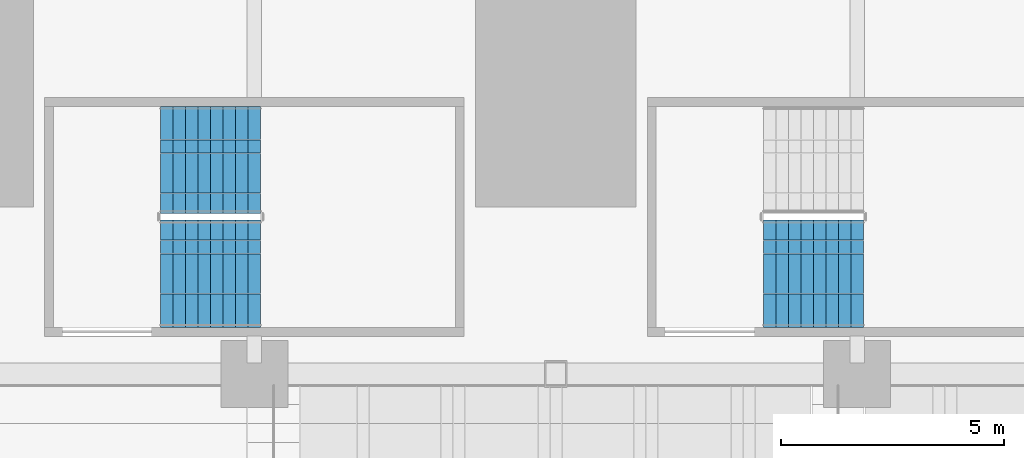
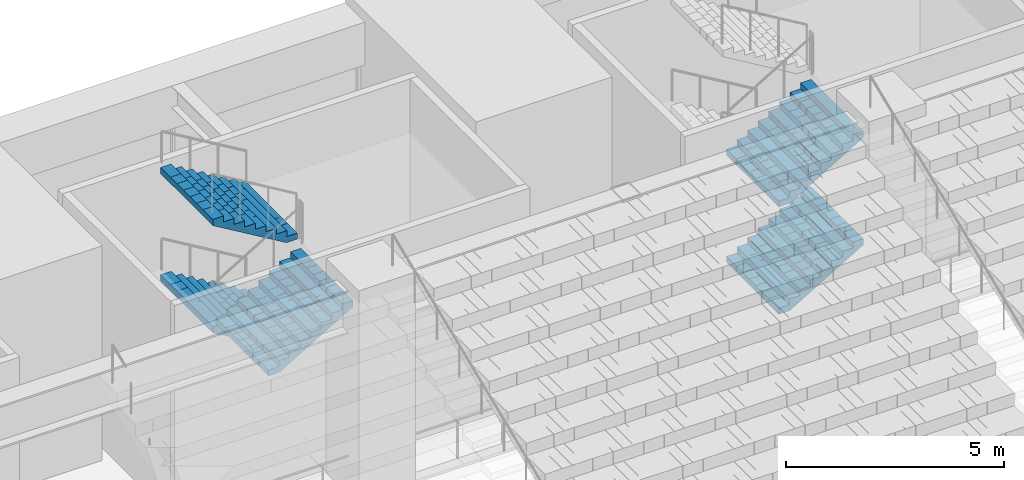
# One storey, part 46 of 61: 5 stair flights, 2 elements without a shape of their own.
"""IFC4 building model written with IfcOpenShell, lengths in metres."""

import ifcopenshell
import ifcopenshell.guid

model = None  # the IFC model being written
_history = None  # IfcOwnerHistory: only IFC2X3 demands one
_inside = {}  # id of a spatial element -> (the spatial element, [elements in it])
_under = {}  # id of a project, library or spatial element -> (it, [spatial elements below it])
_declared = {}  # id of a project -> (the project, [libraries it declares])
_typed = {}  # id of a type object -> (the type object, [elements of that type])
_made_of = {}  # id of a material, layer set ... -> (it, [elements and type objects made of it])


def new_model(schema):
    """Start an empty IFC model of exactly this schema.

    Asked for "IFC4X3", IfcOpenShell would pick the latest addendum, in which some entities
    have other attributes; the version numbers below select the first issue.
    IFC2X3 requires an IfcOwnerHistory on every rooted entity: one is made here for all.
    """
    global model, _history
    if schema == "IFC4X3":
        model = ifcopenshell.file(schema_version=(4, 3, 0, 0))
    else:
        model = ifcopenshell.file(schema=schema)
    _inside.clear()
    _under.clear()
    _declared.clear()
    _typed.clear()
    _made_of.clear()
    _history = None
    if model.schema == "IFC2X3":
        org = make("IfcOrganization", Name="unknown")
        user = make(
            "IfcPersonAndOrganization",
            ThePerson=make("IfcPerson", FamilyName="unknown"),
            TheOrganization=org,
        )
        app = make(
            "IfcApplication",
            ApplicationDeveloper=org,
            Version="unknown",
            ApplicationFullName="unknown",
            ApplicationIdentifier="unknown",
        )
        _history = make(
            "IfcOwnerHistory",
            OwningUser=user,
            OwningApplication=app,
            ChangeAction="ADDED",
            CreationDate=0,
        )
    return model


def make(cls, **values):
    """One entity of the class cls with the attributes given. An attribute that is None is left unset."""
    return model.create_entity(
        cls, **{name: value for name, value in values.items() if value is not None}
    )


def rooted(cls, **values):
    """An entity with a GlobalId (a new one), such as an element, a storey or a relation."""
    return make(cls, GlobalId=ifcopenshell.guid.new(), OwnerHistory=_history, **values)


def si_unit(unit_type, name, prefix=None):
    """IfcSIUnit, for example si_unit("LENGTHUNIT", "METRE", prefix="MILLI")."""
    return make("IfcSIUnit", UnitType=unit_type, Prefix=prefix, Name=name)


def assignment(units):
    """IfcUnitAssignment: the units of a project."""
    return None if units is None else make("IfcUnitAssignment", Units=units)


def point(xyz):
    """IfcCartesianPoint."""
    return None if xyz is None else make("IfcCartesianPoint", Coordinates=xyz)


def direction(xyz):
    """IfcDirection."""
    return None if xyz is None else make("IfcDirection", DirectionRatios=xyz)


def frame(location, z_axis=None, x_axis=None):
    """IfcAxis2Placement3D, a coordinate frame: its origin and axes. An axis left out is left unset."""
    return make(
        "IfcAxis2Placement3D",
        Location=point(location),
        Axis=direction(z_axis),
        RefDirection=direction(x_axis),
    )


def origin():
    """The frame at (0, 0, 0) with its axes left unset."""
    return frame((0.0, 0.0, 0.0))


def place(relative_to, where):
    """IfcLocalPlacement: puts the frame where relative to a parent placement (None: the world)."""
    return make(
        "IfcLocalPlacement", PlacementRelTo=relative_to, RelativePlacement=where
    )


def context(
    kind, dimensions, precision=None, world=None, true_north=None, identifier=None
):
    """IfcGeometricRepresentationContext, for example the 3D "Model" context."""
    return make(
        "IfcGeometricRepresentationContext",
        ContextIdentifier=identifier,
        ContextType=kind,
        CoordinateSpaceDimension=dimensions,
        Precision=precision,
        WorldCoordinateSystem=world,
        TrueNorth=true_north,
    )


def subcontext(parent, identifier, kind, view, scale=None):
    """IfcGeometricRepresentationSubContext, for example "Body" below "Model"."""
    return make(
        "IfcGeometricRepresentationSubContext",
        ContextIdentifier=identifier,
        ContextType=kind,
        ParentContext=parent,
        TargetScale=scale,
        TargetView=view,
    )


def project(units=None, contexts=None):
    """IfcProject with its units and contexts."""
    return rooted(
        "IfcProject",
        Name="project",
        RepresentationContexts=contexts,
        UnitsInContext=assignment(units),
    )


def spatial(cls, under=None, at=None, **own):
    """A site, building, storey or space (cls), placed at a placement, below another one or the project."""
    s = rooted(cls, ObjectPlacement=at, **own)
    if under is not None:
        _under.setdefault(under.id(), (under, []))[1].append(s)
    return s


def polyline(points):
    """IfcPolyline through the points."""
    return make("IfcPolyline", Points=[point(p) for p in points])


def outline(outer, holes=None, kind="AREA"):
    """IfcArbitraryClosedProfileDef: a profile drawn as a closed curve; with holes, ...WithVoids."""
    if holes is None:
        return make("IfcArbitraryClosedProfileDef", ProfileType=kind, OuterCurve=outer)
    return make(
        "IfcArbitraryProfileDefWithVoids",
        ProfileType=kind,
        OuterCurve=outer,
        InnerCurves=holes,
    )


def extrude(swept, where, along, depth):
    """IfcExtrudedAreaSolid: the profile swept, set in the frame where, extruded along a direction by depth."""
    return make(
        "IfcExtrudedAreaSolid",
        SweptArea=swept,
        Position=where,
        ExtrudedDirection=direction(along),
        Depth=depth,
    )


def shape(context_of_items, identifier, shape_type, items):
    """IfcShapeRepresentation: the items that make up one representation, for example the "Body"."""
    return make(
        "IfcShapeRepresentation",
        ContextOfItems=context_of_items,
        RepresentationIdentifier=identifier,
        RepresentationType=shape_type,
        Items=items,
    )


def material(Name=None, Category=None):
    """IfcMaterial."""
    return make("IfcMaterial", Name=Name, Category=Category)


def made_of(thing, what):
    """Note that an element or type object is made of a material, layer set ...; save() writes the relation."""
    if what is not None:
        _made_of.setdefault(what.id(), (what, []))[1].append(thing)
    return thing


def type_object(cls, material=None, **own):
    """A type object (cls), such as IfcWallType, which elements share."""
    return made_of(rooted(cls, **own), material)


def element(
    cls,
    number,
    at=None,
    inside=None,
    cuts=None,
    type_object=None,
    material=None,
    context=None,
    identifier="Body",
    shape_type=None,
    held_by="IfcProductDefinitionShape",
    body=None,
    shapes=None,
    **own,
):
    """One element of the class cls, such as IfcWall. Its Tag is "e" and its number.

    at: its placement. inside: the storey or other place that contains it. cuts: it is an
    opening in that element (IfcRelVoidsElement). A single representation is given by context,
    identifier, shape_type and body (its items); several are given by shapes. held_by: the class
    of the entity that holds the representations. save() writes the other relations.
    """
    e = rooted(cls, Tag="e%d" % number, ObjectPlacement=at, **own)
    if body is not None:
        shapes = [shape(context, identifier, shape_type, body)]
    if shapes is not None:
        e.Representation = make(held_by, Representations=shapes)
    if inside is not None:
        _inside.setdefault(inside.id(), (inside, []))[1].append(e)
    if cuts is not None:
        rooted(
            "IfcRelVoidsElement", RelatingBuildingElement=cuts, RelatedOpeningElement=e
        )
    if type_object is not None:
        _typed.setdefault(type_object.id(), (type_object, []))[1].append(e)
    return made_of(e, material)


def aggregate(whole, parts):
    """IfcRelAggregates: a whole, such as a stair, and the parts it consists of."""
    return rooted("IfcRelAggregates", RelatingObject=whole, RelatedObjects=parts)


def save(model, path):
    """Write the relations noted so far, then the file.

    IfcRelAggregates (storeys below a building ...), IfcRelContainedInSpatialStructure (elements
    in a storey), IfcRelDefinesByType, IfcRelAssociatesMaterial and IfcRelDeclares: one each for
    every whole, place, type object, material and project.
    """
    for whole, parts in _under.values():
        aggregate(whole, parts)
    for where, things in _inside.values():
        rooted(
            "IfcRelContainedInSpatialStructure",
            RelatedElements=things,
            RelatingStructure=where,
        )
    for kind, things in _typed.values():
        rooted("IfcRelDefinesByType", RelatedObjects=things, RelatingType=kind)
    for what, things in _made_of.values():
        rooted("IfcRelAssociatesMaterial", RelatedObjects=things, RelatingMaterial=what)
    for by, libraries in _declared.values():
        rooted("IfcRelDeclares", RelatingContext=by, RelatedDefinitions=libraries)
    model.write(path)


model = new_model("IFC4")

# Units and contexts
model_context = context("Model", 3, precision=1e-05, world=origin(), true_north=direction((0.0, 1.0)))
body_context = subcontext(model_context, "Body", "Model", "MODEL_VIEW")
ifc_project = project(units=[si_unit("LENGTHUNIT", "METRE"), si_unit("AREAUNIT", "SQUARE_METRE"), si_unit("VOLUMEUNIT", "CUBIC_METRE"), si_unit("PLANEANGLEUNIT", "RADIAN"), si_unit("MASSUNIT", "GRAM", prefix="KILO")], contexts=[model_context])

# Site, building, storey
site_placement = place(None, origin())
site = spatial("IfcSite", under=ifc_project, at=site_placement, CompositionType="ELEMENT")
building_placement = place(site_placement, origin())
building = spatial("IfcBuilding", under=site, at=building_placement, Name="Corbelhall Arena Tower", CompositionType="ELEMENT")
storey_placement = place(building_placement, frame((0.0, 0.0, 31.0)))
storey = spatial("IfcBuildingStorey", under=building, at=storey_placement, Name="L04", CompositionType="ELEMENT", Elevation=31.0)

# Stair, stair flights
ifc_material = material(Name="Reinforced concrete C40/50", Category="concrete")
stair_type = type_object("IfcStairType", Name="AR-EXIT-STAIR", PredefinedType="HALF_TURN_STAIR", material=ifc_material)
stair_1_placement = place(storey_placement, origin())
stair_1 = element("IfcStair", 1, at=stair_1_placement, inside=storey, type_object=stair_type, Name="L04 exit stair AS10", PredefinedType="HALF_TURN_STAIR")
stair_flight_type = type_object("IfcStairFlightType", Name="AR-EXIT-FLIGHT", PredefinedType="STRAIGHT", material=ifc_material)
stair_flight_1_placement = place(storey_placement, frame((-6.610107421875, 34.050048828125, 1.5), z_axis=(0.0, 0.0, 1.0), x_axis=(-1.0, 0.0, 0.0)))
stair_flight_1 = element("IfcStairFlight", 2, at=stair_flight_1_placement, type_object=stair_flight_type, Name="AS10 flight 2", NumberOfRisers=9, NumberOfTreads=8, PredefinedType="STRAIGHT", RiserHeight=0.166666667, TreadLength=0.28, context=body_context, shape_type="SweptSolid", body=[
    extrude(outline(polyline([(0.0, 0.0), (0.0, 0.166748046875), (0.280029296875, 0.166748046875), (0.280029296875, 0.333251953125), (0.56005859375, 0.333251953125), (0.56005859375, 0.5), (0.840087890625, 0.5), (0.840087890625, 0.666748046875), (1.1201171875, 0.666748046875), (1.1201171875, 0.833251953125), (1.39990234375, 0.833251953125), (1.39990234375, 1.0), (1.679931640625, 1.0), (1.679931640625, 1.166748046875), (1.9599609375, 1.166748046875), (1.9599609375, 1.333251953125), (2.239990234375, 1.333251953125), (2.239990234375, 1.5), (2.239990234375, 1.158935546875), (0.29296875, 0.0), (0.0, 0.0)])), frame((0.0, 1.199951171875, 0.0), z_axis=(0.0, -1.0, 0.0), x_axis=(1.0, 0.0, 0.0)), (0.0, 0.0, 1.0), 0.449951171875),
    extrude(outline(polyline([(0.0, 0.0), (0.0, 0.166748046875), (0.280029296875, 0.166748046875), (0.280029296875, 0.333251953125), (0.56005859375, 0.333251953125), (0.56005859375, 0.5), (0.840087890625, 0.5), (0.840087890625, 0.666748046875), (1.1201171875, 0.666748046875), (1.1201171875, 0.833251953125), (1.39990234375, 0.833251953125), (1.39990234375, 1.0), (1.679931640625, 1.0), (1.679931640625, 1.166748046875), (1.9599609375, 1.166748046875), (1.9599609375, 1.333251953125), (2.239990234375, 1.333251953125), (2.239990234375, 1.5), (2.239990234375, 1.158935546875), (0.29296875, 0.0), (0.0, 0.0)])), frame((0.0, 0.745849609375, 0.0), z_axis=(0.0, -1.0, 0.0), x_axis=(1.0, 0.0, 0.0)), (0.0, 0.0, 1.0), 0.295166015625),
    extrude(outline(polyline([(0.0, 0.0), (0.0, 0.166748046875), (0.280029296875, 0.166748046875), (0.280029296875, 0.333251953125), (0.56005859375, 0.333251953125), (0.56005859375, 0.5), (0.840087890625, 0.5), (0.840087890625, 0.666748046875), (1.1201171875, 0.666748046875), (1.1201171875, 0.833251953125), (1.39990234375, 0.833251953125), (1.39990234375, 1.0), (1.679931640625, 1.0), (1.679931640625, 1.166748046875), (1.9599609375, 1.166748046875), (1.9599609375, 1.333251953125), (2.239990234375, 1.333251953125), (2.239990234375, 1.5), (2.239990234375, 1.158935546875), (0.29296875, 0.0), (0.0, 0.0)])), frame((0.0, 0.44677734375, 0.0), z_axis=(0.0, -1.0, 0.0), x_axis=(1.0, 0.0, 0.0)), (0.0, 0.0, 1.0), 0.295166015625),
    extrude(outline(polyline([(0.0, 0.0), (0.0, 0.166748046875), (0.280029296875, 0.166748046875), (0.280029296875, 0.333251953125), (0.56005859375, 0.333251953125), (0.56005859375, 0.5), (0.840087890625, 0.5), (0.840087890625, 0.666748046875), (1.1201171875, 0.666748046875), (1.1201171875, 0.833251953125), (1.39990234375, 0.833251953125), (1.39990234375, 1.0), (1.679931640625, 1.0), (1.679931640625, 1.166748046875), (1.9599609375, 1.166748046875), (1.9599609375, 1.333251953125), (2.239990234375, 1.333251953125), (2.239990234375, 1.5), (2.239990234375, 1.158935546875), (0.29296875, 0.0), (0.0, 0.0)])), frame((0.0, 0.147705078125, 0.0), z_axis=(0.0, -1.0, 0.0), x_axis=(1.0, 0.0, 0.0)), (0.0, 0.0, 1.0), 0.295166015625),
    extrude(outline(polyline([(0.0, 0.0), (0.0, 0.166748046875), (0.280029296875, 0.166748046875), (0.280029296875, 0.333251953125), (0.56005859375, 0.333251953125), (0.56005859375, 0.5), (0.840087890625, 0.5), (0.840087890625, 0.666748046875), (1.1201171875, 0.666748046875), (1.1201171875, 0.833251953125), (1.39990234375, 0.833251953125), (1.39990234375, 1.0), (1.679931640625, 1.0), (1.679931640625, 1.166748046875), (1.9599609375, 1.166748046875), (1.9599609375, 1.333251953125), (2.239990234375, 1.333251953125), (2.239990234375, 1.5), (2.239990234375, 1.158935546875), (0.29296875, 0.0), (0.0, 0.0)])), frame((0.0, -0.151611328125, 0.0), z_axis=(0.0, -1.0, 0.0), x_axis=(1.0, 0.0, 0.0)), (0.0, 0.0, 1.0), 0.295166015625),
    extrude(outline(polyline([(0.0, 0.0), (0.0, 0.166748046875), (0.280029296875, 0.166748046875), (0.280029296875, 0.333251953125), (0.56005859375, 0.333251953125), (0.56005859375, 0.5), (0.840087890625, 0.5), (0.840087890625, 0.666748046875), (1.1201171875, 0.666748046875), (1.1201171875, 0.833251953125), (1.39990234375, 0.833251953125), (1.39990234375, 1.0), (1.679931640625, 1.0), (1.679931640625, 1.166748046875), (1.9599609375, 1.166748046875), (1.9599609375, 1.333251953125), (2.239990234375, 1.333251953125), (2.239990234375, 1.5), (2.239990234375, 1.158935546875), (0.29296875, 0.0), (0.0, 0.0)])), frame((0.0, -0.45068359375, 0.0), z_axis=(0.0, -1.0, 0.0), x_axis=(1.0, 0.0, 0.0)), (0.0, 0.0, 1.0), 0.295166015625),
    extrude(outline(polyline([(0.0, 0.0), (0.0, 0.166748046875), (0.280029296875, 0.166748046875), (0.280029296875, 0.333251953125), (0.56005859375, 0.333251953125), (0.56005859375, 0.5), (0.840087890625, 0.5), (0.840087890625, 0.666748046875), (1.1201171875, 0.666748046875), (1.1201171875, 0.833251953125), (1.39990234375, 0.833251953125), (1.39990234375, 1.0), (1.679931640625, 1.0), (1.679931640625, 1.166748046875), (1.9599609375, 1.166748046875), (1.9599609375, 1.333251953125), (2.239990234375, 1.333251953125), (2.239990234375, 1.5), (2.239990234375, 1.158935546875), (0.29296875, 0.0), (0.0, 0.0)])), frame((0.0, -0.75, 0.0), z_axis=(0.0, -1.0, 0.0), x_axis=(1.0, 0.0, 0.0)), (0.0, 0.0, 1.0), 0.449951171875),
])
stair_flight_2_placement = place(storey_placement, frame((-8.85009765625, 31.5, 3.0), z_axis=(0.0, 0.0, 1.0), x_axis=(1.0, 0.0, 0.0)))
stair_flight_2 = element("IfcStairFlight", 3, at=stair_flight_2_placement, type_object=stair_flight_type, Name="AS10 flight 3", NumberOfRisers=9, NumberOfTreads=8, PredefinedType="STRAIGHT", RiserHeight=0.166666667, TreadLength=0.28, context=body_context, shape_type="SweptSolid", body=[
    extrude(outline(polyline([(0.0, 0.0), (0.0, 0.166748046875), (0.280029296875, 0.166748046875), (0.280029296875, 0.333251953125), (0.56005859375, 0.333251953125), (0.56005859375, 0.5), (0.840087890625, 0.5), (0.840087890625, 0.666748046875), (1.1201171875, 0.666748046875), (1.1201171875, 0.833251953125), (1.39990234375, 0.833251953125), (1.39990234375, 1.0), (1.679931640625, 1.0), (1.679931640625, 1.166748046875), (1.9599609375, 1.166748046875), (1.9599609375, 1.333251953125), (2.239990234375, 1.333251953125), (2.239990234375, 1.5), (2.239990234375, 1.158935546875), (0.29296875, 0.0), (0.0, 0.0)])), frame((0.0, 1.199951171875, 0.0), z_axis=(0.0, -1.0, 0.0), x_axis=(1.0, 0.0, 0.0)), (0.0, 0.0, 1.0), 0.449951171875),
    extrude(outline(polyline([(0.0, 0.0), (0.0, 0.166748046875), (0.280029296875, 0.166748046875), (0.280029296875, 0.333251953125), (0.56005859375, 0.333251953125), (0.56005859375, 0.5), (0.840087890625, 0.5), (0.840087890625, 0.666748046875), (1.1201171875, 0.666748046875), (1.1201171875, 0.833251953125), (1.39990234375, 0.833251953125), (1.39990234375, 1.0), (1.679931640625, 1.0), (1.679931640625, 1.166748046875), (1.9599609375, 1.166748046875), (1.9599609375, 1.333251953125), (2.239990234375, 1.333251953125), (2.239990234375, 1.5), (2.239990234375, 1.158935546875), (0.29296875, 0.0), (0.0, 0.0)])), frame((0.0, 0.745849609375, 0.0), z_axis=(0.0, -1.0, 0.0), x_axis=(1.0, 0.0, 0.0)), (0.0, 0.0, 1.0), 0.295166015625),
    extrude(outline(polyline([(0.0, 0.0), (0.0, 0.166748046875), (0.280029296875, 0.166748046875), (0.280029296875, 0.333251953125), (0.56005859375, 0.333251953125), (0.56005859375, 0.5), (0.840087890625, 0.5), (0.840087890625, 0.666748046875), (1.1201171875, 0.666748046875), (1.1201171875, 0.833251953125), (1.39990234375, 0.833251953125), (1.39990234375, 1.0), (1.679931640625, 1.0), (1.679931640625, 1.166748046875), (1.9599609375, 1.166748046875), (1.9599609375, 1.333251953125), (2.239990234375, 1.333251953125), (2.239990234375, 1.5), (2.239990234375, 1.158935546875), (0.29296875, 0.0), (0.0, 0.0)])), frame((0.0, 0.44677734375, 0.0), z_axis=(0.0, -1.0, 0.0), x_axis=(1.0, 0.0, 0.0)), (0.0, 0.0, 1.0), 0.295166015625),
    extrude(outline(polyline([(0.0, 0.0), (0.0, 0.166748046875), (0.280029296875, 0.166748046875), (0.280029296875, 0.333251953125), (0.56005859375, 0.333251953125), (0.56005859375, 0.5), (0.840087890625, 0.5), (0.840087890625, 0.666748046875), (1.1201171875, 0.666748046875), (1.1201171875, 0.833251953125), (1.39990234375, 0.833251953125), (1.39990234375, 1.0), (1.679931640625, 1.0), (1.679931640625, 1.166748046875), (1.9599609375, 1.166748046875), (1.9599609375, 1.333251953125), (2.239990234375, 1.333251953125), (2.239990234375, 1.5), (2.239990234375, 1.158935546875), (0.29296875, 0.0), (0.0, 0.0)])), frame((0.0, 0.147705078125, 0.0), z_axis=(0.0, -1.0, 0.0), x_axis=(1.0, 0.0, 0.0)), (0.0, 0.0, 1.0), 0.295166015625),
    extrude(outline(polyline([(0.0, 0.0), (0.0, 0.166748046875), (0.280029296875, 0.166748046875), (0.280029296875, 0.333251953125), (0.56005859375, 0.333251953125), (0.56005859375, 0.5), (0.840087890625, 0.5), (0.840087890625, 0.666748046875), (1.1201171875, 0.666748046875), (1.1201171875, 0.833251953125), (1.39990234375, 0.833251953125), (1.39990234375, 1.0), (1.679931640625, 1.0), (1.679931640625, 1.166748046875), (1.9599609375, 1.166748046875), (1.9599609375, 1.333251953125), (2.239990234375, 1.333251953125), (2.239990234375, 1.5), (2.239990234375, 1.158935546875), (0.29296875, 0.0), (0.0, 0.0)])), frame((0.0, -0.151611328125, 0.0), z_axis=(0.0, -1.0, 0.0), x_axis=(1.0, 0.0, 0.0)), (0.0, 0.0, 1.0), 0.295166015625),
    extrude(outline(polyline([(0.0, 0.0), (0.0, 0.166748046875), (0.280029296875, 0.166748046875), (0.280029296875, 0.333251953125), (0.56005859375, 0.333251953125), (0.56005859375, 0.5), (0.840087890625, 0.5), (0.840087890625, 0.666748046875), (1.1201171875, 0.666748046875), (1.1201171875, 0.833251953125), (1.39990234375, 0.833251953125), (1.39990234375, 1.0), (1.679931640625, 1.0), (1.679931640625, 1.166748046875), (1.9599609375, 1.166748046875), (1.9599609375, 1.333251953125), (2.239990234375, 1.333251953125), (2.239990234375, 1.5), (2.239990234375, 1.158935546875), (0.29296875, 0.0), (0.0, 0.0)])), frame((0.0, -0.45068359375, 0.0), z_axis=(0.0, -1.0, 0.0), x_axis=(1.0, 0.0, 0.0)), (0.0, 0.0, 1.0), 0.295166015625),
    extrude(outline(polyline([(0.0, 0.0), (0.0, 0.166748046875), (0.280029296875, 0.166748046875), (0.280029296875, 0.333251953125), (0.56005859375, 0.333251953125), (0.56005859375, 0.5), (0.840087890625, 0.5), (0.840087890625, 0.666748046875), (1.1201171875, 0.666748046875), (1.1201171875, 0.833251953125), (1.39990234375, 0.833251953125), (1.39990234375, 1.0), (1.679931640625, 1.0), (1.679931640625, 1.166748046875), (1.9599609375, 1.166748046875), (1.9599609375, 1.333251953125), (2.239990234375, 1.333251953125), (2.239990234375, 1.5), (2.239990234375, 1.158935546875), (0.29296875, 0.0), (0.0, 0.0)])), frame((0.0, -0.75, 0.0), z_axis=(0.0, -1.0, 0.0), x_axis=(1.0, 0.0, 0.0)), (0.0, 0.0, 1.0), 0.449951171875),
])
stair_flight_3_placement = place(storey_placement, frame((-6.610107421875, 34.050048828125, 4.5), z_axis=(0.0, 0.0, 1.0), x_axis=(-1.0, 0.0, 0.0)))
stair_flight_3 = element("IfcStairFlight", 4, at=stair_flight_3_placement, type_object=stair_flight_type, Name="AS10 flight 4", NumberOfRisers=9, NumberOfTreads=8, PredefinedType="STRAIGHT", RiserHeight=0.166666667, TreadLength=0.28, context=body_context, shape_type="SweptSolid", body=[
    extrude(outline(polyline([(0.0, 0.0), (0.0, 0.166748046875), (0.280029296875, 0.166748046875), (0.280029296875, 0.333251953125), (0.56005859375, 0.333251953125), (0.56005859375, 0.5), (0.840087890625, 0.5), (0.840087890625, 0.666748046875), (1.1201171875, 0.666748046875), (1.1201171875, 0.833251953125), (1.39990234375, 0.833251953125), (1.39990234375, 1.0), (1.679931640625, 1.0), (1.679931640625, 1.166748046875), (1.9599609375, 1.166748046875), (1.9599609375, 1.333251953125), (2.239990234375, 1.333251953125), (2.239990234375, 1.5), (2.239990234375, 1.158935546875), (0.29296875, 0.0), (0.0, 0.0)])), frame((0.0, 1.199951171875, 0.0), z_axis=(0.0, -1.0, 0.0), x_axis=(1.0, 0.0, 0.0)), (0.0, 0.0, 1.0), 0.449951171875),
    extrude(outline(polyline([(0.0, 0.0), (0.0, 0.166748046875), (0.280029296875, 0.166748046875), (0.280029296875, 0.333251953125), (0.56005859375, 0.333251953125), (0.56005859375, 0.5), (0.840087890625, 0.5), (0.840087890625, 0.666748046875), (1.1201171875, 0.666748046875), (1.1201171875, 0.833251953125), (1.39990234375, 0.833251953125), (1.39990234375, 1.0), (1.679931640625, 1.0), (1.679931640625, 1.166748046875), (1.9599609375, 1.166748046875), (1.9599609375, 1.333251953125), (2.239990234375, 1.333251953125), (2.239990234375, 1.5), (2.239990234375, 1.158935546875), (0.29296875, 0.0), (0.0, 0.0)])), frame((0.0, 0.745849609375, 0.0), z_axis=(0.0, -1.0, 0.0), x_axis=(1.0, 0.0, 0.0)), (0.0, 0.0, 1.0), 0.295166015625),
    extrude(outline(polyline([(0.0, 0.0), (0.0, 0.166748046875), (0.280029296875, 0.166748046875), (0.280029296875, 0.333251953125), (0.56005859375, 0.333251953125), (0.56005859375, 0.5), (0.840087890625, 0.5), (0.840087890625, 0.666748046875), (1.1201171875, 0.666748046875), (1.1201171875, 0.833251953125), (1.39990234375, 0.833251953125), (1.39990234375, 1.0), (1.679931640625, 1.0), (1.679931640625, 1.166748046875), (1.9599609375, 1.166748046875), (1.9599609375, 1.333251953125), (2.239990234375, 1.333251953125), (2.239990234375, 1.5), (2.239990234375, 1.158935546875), (0.29296875, 0.0), (0.0, 0.0)])), frame((0.0, 0.44677734375, 0.0), z_axis=(0.0, -1.0, 0.0), x_axis=(1.0, 0.0, 0.0)), (0.0, 0.0, 1.0), 0.295166015625),
    extrude(outline(polyline([(0.0, 0.0), (0.0, 0.166748046875), (0.280029296875, 0.166748046875), (0.280029296875, 0.333251953125), (0.56005859375, 0.333251953125), (0.56005859375, 0.5), (0.840087890625, 0.5), (0.840087890625, 0.666748046875), (1.1201171875, 0.666748046875), (1.1201171875, 0.833251953125), (1.39990234375, 0.833251953125), (1.39990234375, 1.0), (1.679931640625, 1.0), (1.679931640625, 1.166748046875), (1.9599609375, 1.166748046875), (1.9599609375, 1.333251953125), (2.239990234375, 1.333251953125), (2.239990234375, 1.5), (2.239990234375, 1.158935546875), (0.29296875, 0.0), (0.0, 0.0)])), frame((0.0, 0.147705078125, 0.0), z_axis=(0.0, -1.0, 0.0), x_axis=(1.0, 0.0, 0.0)), (0.0, 0.0, 1.0), 0.295166015625),
    extrude(outline(polyline([(0.0, 0.0), (0.0, 0.166748046875), (0.280029296875, 0.166748046875), (0.280029296875, 0.333251953125), (0.56005859375, 0.333251953125), (0.56005859375, 0.5), (0.840087890625, 0.5), (0.840087890625, 0.666748046875), (1.1201171875, 0.666748046875), (1.1201171875, 0.833251953125), (1.39990234375, 0.833251953125), (1.39990234375, 1.0), (1.679931640625, 1.0), (1.679931640625, 1.166748046875), (1.9599609375, 1.166748046875), (1.9599609375, 1.333251953125), (2.239990234375, 1.333251953125), (2.239990234375, 1.5), (2.239990234375, 1.158935546875), (0.29296875, 0.0), (0.0, 0.0)])), frame((0.0, -0.151611328125, 0.0), z_axis=(0.0, -1.0, 0.0), x_axis=(1.0, 0.0, 0.0)), (0.0, 0.0, 1.0), 0.295166015625),
    extrude(outline(polyline([(0.0, 0.0), (0.0, 0.166748046875), (0.280029296875, 0.166748046875), (0.280029296875, 0.333251953125), (0.56005859375, 0.333251953125), (0.56005859375, 0.5), (0.840087890625, 0.5), (0.840087890625, 0.666748046875), (1.1201171875, 0.666748046875), (1.1201171875, 0.833251953125), (1.39990234375, 0.833251953125), (1.39990234375, 1.0), (1.679931640625, 1.0), (1.679931640625, 1.166748046875), (1.9599609375, 1.166748046875), (1.9599609375, 1.333251953125), (2.239990234375, 1.333251953125), (2.239990234375, 1.5), (2.239990234375, 1.158935546875), (0.29296875, 0.0), (0.0, 0.0)])), frame((0.0, -0.45068359375, 0.0), z_axis=(0.0, -1.0, 0.0), x_axis=(1.0, 0.0, 0.0)), (0.0, 0.0, 1.0), 0.295166015625),
    extrude(outline(polyline([(0.0, 0.0), (0.0, 0.166748046875), (0.280029296875, 0.166748046875), (0.280029296875, 0.333251953125), (0.56005859375, 0.333251953125), (0.56005859375, 0.5), (0.840087890625, 0.5), (0.840087890625, 0.666748046875), (1.1201171875, 0.666748046875), (1.1201171875, 0.833251953125), (1.39990234375, 0.833251953125), (1.39990234375, 1.0), (1.679931640625, 1.0), (1.679931640625, 1.166748046875), (1.9599609375, 1.166748046875), (1.9599609375, 1.333251953125), (2.239990234375, 1.333251953125), (2.239990234375, 1.5), (2.239990234375, 1.158935546875), (0.29296875, 0.0), (0.0, 0.0)])), frame((0.0, -0.75, 0.0), z_axis=(0.0, -1.0, 0.0), x_axis=(1.0, 0.0, 0.0)), (0.0, 0.0, 1.0), 0.449951171875),
])
aggregate(stair_1, [stair_flight_1, stair_flight_2, stair_flight_3])

stair_2_placement = place(storey_placement, origin())
stair_2 = element("IfcStair", 5, at=stair_2_placement, inside=storey, type_object=stair_type, Name="L04 exit stair AS11", PredefinedType="HALF_TURN_STAIR")
stair_flight_4_placement = place(storey_placement, frame((4.64990234375, 31.5, 0.0), z_axis=(0.0, 0.0, 1.0), x_axis=(1.0, 0.0, 0.0)))
stair_flight_4 = element("IfcStairFlight", 6, at=stair_flight_4_placement, type_object=stair_flight_type, Name="AS11 flight 1", NumberOfRisers=9, NumberOfTreads=8, PredefinedType="STRAIGHT", RiserHeight=0.166666667, TreadLength=0.28, context=body_context, shape_type="SweptSolid", body=[
    extrude(outline(polyline([(0.0, 0.0), (0.0, 0.166748046875), (0.280029296875, 0.166748046875), (0.280029296875, 0.333251953125), (0.56005859375, 0.333251953125), (0.56005859375, 0.5), (0.840087890625, 0.5), (0.840087890625, 0.666748046875), (1.1201171875, 0.666748046875), (1.1201171875, 0.833251953125), (1.39990234375, 0.833251953125), (1.39990234375, 1.0), (1.679931640625, 1.0), (1.679931640625, 1.166748046875), (1.9599609375, 1.166748046875), (1.9599609375, 1.333251953125), (2.239990234375, 1.333251953125), (2.239990234375, 1.5), (2.239990234375, 1.158935546875), (0.29296875, 0.0), (0.0, 0.0)])), frame((0.0, 1.199951171875, 0.0), z_axis=(0.0, -1.0, 0.0), x_axis=(1.0, 0.0, 0.0)), (0.0, 0.0, 1.0), 0.449951171875),
    extrude(outline(polyline([(0.0, 0.0), (0.0, 0.166748046875), (0.280029296875, 0.166748046875), (0.280029296875, 0.333251953125), (0.56005859375, 0.333251953125), (0.56005859375, 0.5), (0.840087890625, 0.5), (0.840087890625, 0.666748046875), (1.1201171875, 0.666748046875), (1.1201171875, 0.833251953125), (1.39990234375, 0.833251953125), (1.39990234375, 1.0), (1.679931640625, 1.0), (1.679931640625, 1.166748046875), (1.9599609375, 1.166748046875), (1.9599609375, 1.333251953125), (2.239990234375, 1.333251953125), (2.239990234375, 1.5), (2.239990234375, 1.158935546875), (0.29296875, 0.0), (0.0, 0.0)])), frame((0.0, 0.745849609375, 0.0), z_axis=(0.0, -1.0, 0.0), x_axis=(1.0, 0.0, 0.0)), (0.0, 0.0, 1.0), 0.295166015625),
    extrude(outline(polyline([(0.0, 0.0), (0.0, 0.166748046875), (0.280029296875, 0.166748046875), (0.280029296875, 0.333251953125), (0.56005859375, 0.333251953125), (0.56005859375, 0.5), (0.840087890625, 0.5), (0.840087890625, 0.666748046875), (1.1201171875, 0.666748046875), (1.1201171875, 0.833251953125), (1.39990234375, 0.833251953125), (1.39990234375, 1.0), (1.679931640625, 1.0), (1.679931640625, 1.166748046875), (1.9599609375, 1.166748046875), (1.9599609375, 1.333251953125), (2.239990234375, 1.333251953125), (2.239990234375, 1.5), (2.239990234375, 1.158935546875), (0.29296875, 0.0), (0.0, 0.0)])), frame((0.0, 0.44677734375, 0.0), z_axis=(0.0, -1.0, 0.0), x_axis=(1.0, 0.0, 0.0)), (0.0, 0.0, 1.0), 0.295166015625),
    extrude(outline(polyline([(0.0, 0.0), (0.0, 0.166748046875), (0.280029296875, 0.166748046875), (0.280029296875, 0.333251953125), (0.56005859375, 0.333251953125), (0.56005859375, 0.5), (0.840087890625, 0.5), (0.840087890625, 0.666748046875), (1.1201171875, 0.666748046875), (1.1201171875, 0.833251953125), (1.39990234375, 0.833251953125), (1.39990234375, 1.0), (1.679931640625, 1.0), (1.679931640625, 1.166748046875), (1.9599609375, 1.166748046875), (1.9599609375, 1.333251953125), (2.239990234375, 1.333251953125), (2.239990234375, 1.5), (2.239990234375, 1.158935546875), (0.29296875, 0.0), (0.0, 0.0)])), frame((0.0, 0.147705078125, 0.0), z_axis=(0.0, -1.0, 0.0), x_axis=(1.0, 0.0, 0.0)), (0.0, 0.0, 1.0), 0.295166015625),
    extrude(outline(polyline([(0.0, 0.0), (0.0, 0.166748046875), (0.280029296875, 0.166748046875), (0.280029296875, 0.333251953125), (0.56005859375, 0.333251953125), (0.56005859375, 0.5), (0.840087890625, 0.5), (0.840087890625, 0.666748046875), (1.1201171875, 0.666748046875), (1.1201171875, 0.833251953125), (1.39990234375, 0.833251953125), (1.39990234375, 1.0), (1.679931640625, 1.0), (1.679931640625, 1.166748046875), (1.9599609375, 1.166748046875), (1.9599609375, 1.333251953125), (2.239990234375, 1.333251953125), (2.239990234375, 1.5), (2.239990234375, 1.158935546875), (0.29296875, 0.0), (0.0, 0.0)])), frame((0.0, -0.151611328125, 0.0), z_axis=(0.0, -1.0, 0.0), x_axis=(1.0, 0.0, 0.0)), (0.0, 0.0, 1.0), 0.295166015625),
    extrude(outline(polyline([(0.0, 0.0), (0.0, 0.166748046875), (0.280029296875, 0.166748046875), (0.280029296875, 0.333251953125), (0.56005859375, 0.333251953125), (0.56005859375, 0.5), (0.840087890625, 0.5), (0.840087890625, 0.666748046875), (1.1201171875, 0.666748046875), (1.1201171875, 0.833251953125), (1.39990234375, 0.833251953125), (1.39990234375, 1.0), (1.679931640625, 1.0), (1.679931640625, 1.166748046875), (1.9599609375, 1.166748046875), (1.9599609375, 1.333251953125), (2.239990234375, 1.333251953125), (2.239990234375, 1.5), (2.239990234375, 1.158935546875), (0.29296875, 0.0), (0.0, 0.0)])), frame((0.0, -0.45068359375, 0.0), z_axis=(0.0, -1.0, 0.0), x_axis=(1.0, 0.0, 0.0)), (0.0, 0.0, 1.0), 0.295166015625),
    extrude(outline(polyline([(0.0, 0.0), (0.0, 0.166748046875), (0.280029296875, 0.166748046875), (0.280029296875, 0.333251953125), (0.56005859375, 0.333251953125), (0.56005859375, 0.5), (0.840087890625, 0.5), (0.840087890625, 0.666748046875), (1.1201171875, 0.666748046875), (1.1201171875, 0.833251953125), (1.39990234375, 0.833251953125), (1.39990234375, 1.0), (1.679931640625, 1.0), (1.679931640625, 1.166748046875), (1.9599609375, 1.166748046875), (1.9599609375, 1.333251953125), (2.239990234375, 1.333251953125), (2.239990234375, 1.5), (2.239990234375, 1.158935546875), (0.29296875, 0.0), (0.0, 0.0)])), frame((0.0, -0.75, 0.0), z_axis=(0.0, -1.0, 0.0), x_axis=(1.0, 0.0, 0.0)), (0.0, 0.0, 1.0), 0.449951171875),
])
stair_flight_5_placement = place(storey_placement, frame((4.64990234375, 31.5, 3.0), z_axis=(0.0, 0.0, 1.0), x_axis=(1.0, 0.0, 0.0)))
stair_flight_5 = element("IfcStairFlight", 7, at=stair_flight_5_placement, type_object=stair_flight_type, Name="AS11 flight 3", NumberOfRisers=9, NumberOfTreads=8, PredefinedType="STRAIGHT", RiserHeight=0.166666667, TreadLength=0.28, context=body_context, shape_type="SweptSolid", body=[
    extrude(outline(polyline([(0.0, 0.0), (0.0, 0.166748046875), (0.280029296875, 0.166748046875), (0.280029296875, 0.333251953125), (0.56005859375, 0.333251953125), (0.56005859375, 0.5), (0.840087890625, 0.5), (0.840087890625, 0.666748046875), (1.1201171875, 0.666748046875), (1.1201171875, 0.833251953125), (1.39990234375, 0.833251953125), (1.39990234375, 1.0), (1.679931640625, 1.0), (1.679931640625, 1.166748046875), (1.9599609375, 1.166748046875), (1.9599609375, 1.333251953125), (2.239990234375, 1.333251953125), (2.239990234375, 1.5), (2.239990234375, 1.158935546875), (0.29296875, 0.0), (0.0, 0.0)])), frame((0.0, 1.199951171875, 0.0), z_axis=(0.0, -1.0, 0.0), x_axis=(1.0, 0.0, 0.0)), (0.0, 0.0, 1.0), 0.449951171875),
    extrude(outline(polyline([(0.0, 0.0), (0.0, 0.166748046875), (0.280029296875, 0.166748046875), (0.280029296875, 0.333251953125), (0.56005859375, 0.333251953125), (0.56005859375, 0.5), (0.840087890625, 0.5), (0.840087890625, 0.666748046875), (1.1201171875, 0.666748046875), (1.1201171875, 0.833251953125), (1.39990234375, 0.833251953125), (1.39990234375, 1.0), (1.679931640625, 1.0), (1.679931640625, 1.166748046875), (1.9599609375, 1.166748046875), (1.9599609375, 1.333251953125), (2.239990234375, 1.333251953125), (2.239990234375, 1.5), (2.239990234375, 1.158935546875), (0.29296875, 0.0), (0.0, 0.0)])), frame((0.0, 0.745849609375, 0.0), z_axis=(0.0, -1.0, 0.0), x_axis=(1.0, 0.0, 0.0)), (0.0, 0.0, 1.0), 0.295166015625),
    extrude(outline(polyline([(0.0, 0.0), (0.0, 0.166748046875), (0.280029296875, 0.166748046875), (0.280029296875, 0.333251953125), (0.56005859375, 0.333251953125), (0.56005859375, 0.5), (0.840087890625, 0.5), (0.840087890625, 0.666748046875), (1.1201171875, 0.666748046875), (1.1201171875, 0.833251953125), (1.39990234375, 0.833251953125), (1.39990234375, 1.0), (1.679931640625, 1.0), (1.679931640625, 1.166748046875), (1.9599609375, 1.166748046875), (1.9599609375, 1.333251953125), (2.239990234375, 1.333251953125), (2.239990234375, 1.5), (2.239990234375, 1.158935546875), (0.29296875, 0.0), (0.0, 0.0)])), frame((0.0, 0.44677734375, 0.0), z_axis=(0.0, -1.0, 0.0), x_axis=(1.0, 0.0, 0.0)), (0.0, 0.0, 1.0), 0.295166015625),
    extrude(outline(polyline([(0.0, 0.0), (0.0, 0.166748046875), (0.280029296875, 0.166748046875), (0.280029296875, 0.333251953125), (0.56005859375, 0.333251953125), (0.56005859375, 0.5), (0.840087890625, 0.5), (0.840087890625, 0.666748046875), (1.1201171875, 0.666748046875), (1.1201171875, 0.833251953125), (1.39990234375, 0.833251953125), (1.39990234375, 1.0), (1.679931640625, 1.0), (1.679931640625, 1.166748046875), (1.9599609375, 1.166748046875), (1.9599609375, 1.333251953125), (2.239990234375, 1.333251953125), (2.239990234375, 1.5), (2.239990234375, 1.158935546875), (0.29296875, 0.0), (0.0, 0.0)])), frame((0.0, 0.147705078125, 0.0), z_axis=(0.0, -1.0, 0.0), x_axis=(1.0, 0.0, 0.0)), (0.0, 0.0, 1.0), 0.295166015625),
    extrude(outline(polyline([(0.0, 0.0), (0.0, 0.166748046875), (0.280029296875, 0.166748046875), (0.280029296875, 0.333251953125), (0.56005859375, 0.333251953125), (0.56005859375, 0.5), (0.840087890625, 0.5), (0.840087890625, 0.666748046875), (1.1201171875, 0.666748046875), (1.1201171875, 0.833251953125), (1.39990234375, 0.833251953125), (1.39990234375, 1.0), (1.679931640625, 1.0), (1.679931640625, 1.166748046875), (1.9599609375, 1.166748046875), (1.9599609375, 1.333251953125), (2.239990234375, 1.333251953125), (2.239990234375, 1.5), (2.239990234375, 1.158935546875), (0.29296875, 0.0), (0.0, 0.0)])), frame((0.0, -0.151611328125, 0.0), z_axis=(0.0, -1.0, 0.0), x_axis=(1.0, 0.0, 0.0)), (0.0, 0.0, 1.0), 0.295166015625),
    extrude(outline(polyline([(0.0, 0.0), (0.0, 0.166748046875), (0.280029296875, 0.166748046875), (0.280029296875, 0.333251953125), (0.56005859375, 0.333251953125), (0.56005859375, 0.5), (0.840087890625, 0.5), (0.840087890625, 0.666748046875), (1.1201171875, 0.666748046875), (1.1201171875, 0.833251953125), (1.39990234375, 0.833251953125), (1.39990234375, 1.0), (1.679931640625, 1.0), (1.679931640625, 1.166748046875), (1.9599609375, 1.166748046875), (1.9599609375, 1.333251953125), (2.239990234375, 1.333251953125), (2.239990234375, 1.5), (2.239990234375, 1.158935546875), (0.29296875, 0.0), (0.0, 0.0)])), frame((0.0, -0.45068359375, 0.0), z_axis=(0.0, -1.0, 0.0), x_axis=(1.0, 0.0, 0.0)), (0.0, 0.0, 1.0), 0.295166015625),
    extrude(outline(polyline([(0.0, 0.0), (0.0, 0.166748046875), (0.280029296875, 0.166748046875), (0.280029296875, 0.333251953125), (0.56005859375, 0.333251953125), (0.56005859375, 0.5), (0.840087890625, 0.5), (0.840087890625, 0.666748046875), (1.1201171875, 0.666748046875), (1.1201171875, 0.833251953125), (1.39990234375, 0.833251953125), (1.39990234375, 1.0), (1.679931640625, 1.0), (1.679931640625, 1.166748046875), (1.9599609375, 1.166748046875), (1.9599609375, 1.333251953125), (2.239990234375, 1.333251953125), (2.239990234375, 1.5), (2.239990234375, 1.158935546875), (0.29296875, 0.0), (0.0, 0.0)])), frame((0.0, -0.75, 0.0), z_axis=(0.0, -1.0, 0.0), x_axis=(1.0, 0.0, 0.0)), (0.0, 0.0, 1.0), 0.449951171875),
])
aggregate(stair_2, [stair_flight_4, stair_flight_5])

save(model, "model.ifc")
